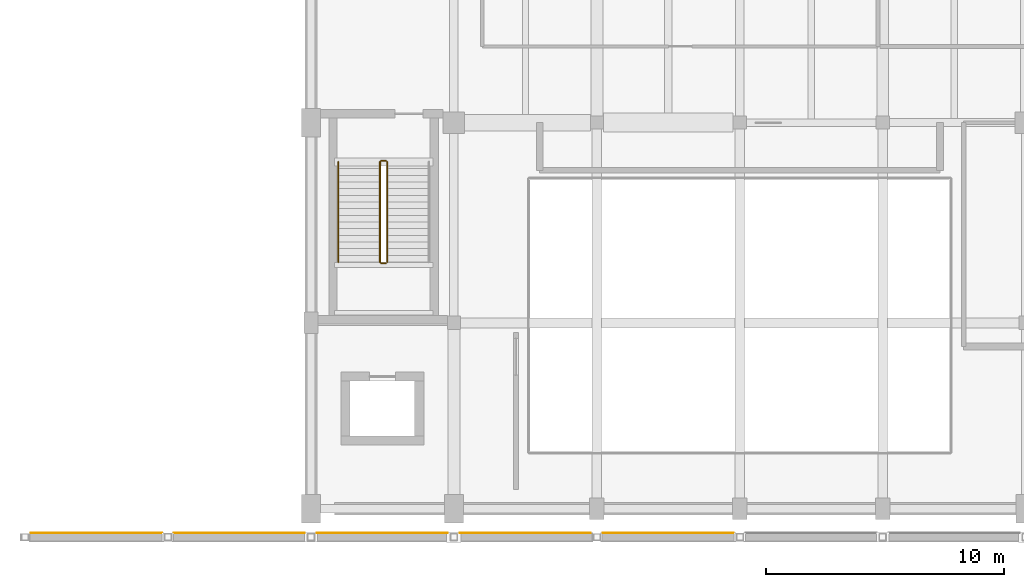
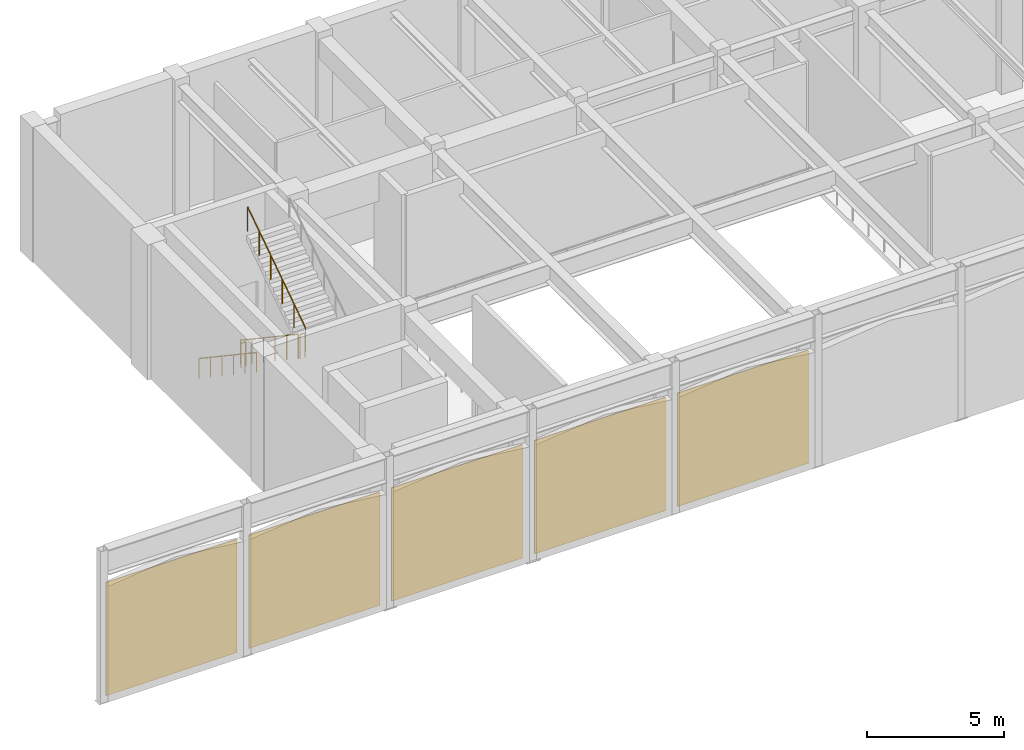
# One storey, part 6 of 8: 5 coverings, 5 railings.
"""IFC4 building model written with IfcOpenShell, lengths in metres."""

import ifcopenshell
import ifcopenshell.guid

model = None  # the IFC model being written
_history = None  # IfcOwnerHistory: only IFC2X3 demands one
_inside = {}  # id of a spatial element -> (the spatial element, [elements in it])
_under = {}  # id of a project, library or spatial element -> (it, [spatial elements below it])
_declared = {}  # id of a project -> (the project, [libraries it declares])
_typed = {}  # id of a type object -> (the type object, [elements of that type])
_made_of = {}  # id of a material, layer set ... -> (it, [elements and type objects made of it])


def new_model(schema):
    """Start an empty IFC model of exactly this schema.

    Asked for "IFC4X3", IfcOpenShell would pick the latest addendum, in which some entities
    have other attributes; the version numbers below select the first issue.
    IFC2X3 requires an IfcOwnerHistory on every rooted entity: one is made here for all.
    """
    global model, _history
    if schema == "IFC4X3":
        model = ifcopenshell.file(schema_version=(4, 3, 0, 0))
    else:
        model = ifcopenshell.file(schema=schema)
    _inside.clear()
    _under.clear()
    _declared.clear()
    _typed.clear()
    _made_of.clear()
    _history = None
    if model.schema == "IFC2X3":
        org = make("IfcOrganization", Name="unknown")
        user = make(
            "IfcPersonAndOrganization",
            ThePerson=make("IfcPerson", FamilyName="unknown"),
            TheOrganization=org,
        )
        app = make(
            "IfcApplication",
            ApplicationDeveloper=org,
            Version="unknown",
            ApplicationFullName="unknown",
            ApplicationIdentifier="unknown",
        )
        _history = make(
            "IfcOwnerHistory",
            OwningUser=user,
            OwningApplication=app,
            ChangeAction="ADDED",
            CreationDate=0,
        )
    return model


def make(cls, **values):
    """One entity of the class cls with the attributes given. An attribute that is None is left unset."""
    return model.create_entity(
        cls, **{name: value for name, value in values.items() if value is not None}
    )


def rooted(cls, **values):
    """An entity with a GlobalId (a new one), such as an element, a storey or a relation."""
    return make(cls, GlobalId=ifcopenshell.guid.new(), OwnerHistory=_history, **values)


def si_unit(unit_type, name, prefix=None):
    """IfcSIUnit, for example si_unit("LENGTHUNIT", "METRE", prefix="MILLI")."""
    return make("IfcSIUnit", UnitType=unit_type, Prefix=prefix, Name=name)


def assignment(units):
    """IfcUnitAssignment: the units of a project."""
    return None if units is None else make("IfcUnitAssignment", Units=units)


def point(xyz):
    """IfcCartesianPoint."""
    return None if xyz is None else make("IfcCartesianPoint", Coordinates=xyz)


def direction(xyz):
    """IfcDirection."""
    return None if xyz is None else make("IfcDirection", DirectionRatios=xyz)


def frame(location, z_axis=None, x_axis=None):
    """IfcAxis2Placement3D, a coordinate frame: its origin and axes. An axis left out is left unset."""
    return make(
        "IfcAxis2Placement3D",
        Location=point(location),
        Axis=direction(z_axis),
        RefDirection=direction(x_axis),
    )


def frame_2d(location, x_axis=None):
    """IfcAxis2Placement2D, a coordinate frame in the plane: its origin and x axis."""
    return make(
        "IfcAxis2Placement2D", Location=point(location), RefDirection=direction(x_axis)
    )


def origin():
    """The frame at (0, 0, 0) with its axes left unset."""
    return frame((0.0, 0.0, 0.0))


def origin_2d():
    """The frame at (0, 0) in the plane with its x axis left unset."""
    return frame_2d((0.0, 0.0))


def place(relative_to, where):
    """IfcLocalPlacement: puts the frame where relative to a parent placement (None: the world)."""
    return make(
        "IfcLocalPlacement", PlacementRelTo=relative_to, RelativePlacement=where
    )


def context(
    kind, dimensions, precision=None, world=None, true_north=None, identifier=None
):
    """IfcGeometricRepresentationContext, for example the 3D "Model" context."""
    return make(
        "IfcGeometricRepresentationContext",
        ContextIdentifier=identifier,
        ContextType=kind,
        CoordinateSpaceDimension=dimensions,
        Precision=precision,
        WorldCoordinateSystem=world,
        TrueNorth=true_north,
    )


def subcontext(parent, identifier, kind, view, scale=None):
    """IfcGeometricRepresentationSubContext, for example "Body" below "Model"."""
    return make(
        "IfcGeometricRepresentationSubContext",
        ContextIdentifier=identifier,
        ContextType=kind,
        ParentContext=parent,
        TargetScale=scale,
        TargetView=view,
    )


def project(units=None, contexts=None):
    """IfcProject with its units and contexts."""
    return rooted(
        "IfcProject",
        Name="project",
        RepresentationContexts=contexts,
        UnitsInContext=assignment(units),
    )


def spatial(cls, under=None, at=None, **own):
    """A site, building, storey or space (cls), placed at a placement, below another one or the project."""
    s = rooted(cls, ObjectPlacement=at, **own)
    if under is not None:
        _under.setdefault(under.id(), (under, []))[1].append(s)
    return s


def profile(cls, at=None, kind="AREA", **sizes):
    """A parametric profile (cls). Its sizes go by their IFC names, for example OverallWidth=200.0."""
    return make(cls, ProfileType=kind, Position=at, **sizes)


def rectangle(**sizes):
    """IfcRectangleProfileDef."""
    return profile("IfcRectangleProfileDef", **sizes)


def circle(**sizes):
    """IfcCircleProfileDef."""
    return profile("IfcCircleProfileDef", **sizes)


def extrude(swept, where, along, depth):
    """IfcExtrudedAreaSolid: the profile swept, set in the frame where, extruded along a direction by depth."""
    return make(
        "IfcExtrudedAreaSolid",
        SweptArea=swept,
        Position=where,
        ExtrudedDirection=direction(along),
        Depth=depth,
    )


def shape(context_of_items, identifier, shape_type, items):
    """IfcShapeRepresentation: the items that make up one representation, for example the "Body"."""
    return make(
        "IfcShapeRepresentation",
        ContextOfItems=context_of_items,
        RepresentationIdentifier=identifier,
        RepresentationType=shape_type,
        Items=items,
    )


def material(Name=None, Category=None):
    """IfcMaterial."""
    return make("IfcMaterial", Name=Name, Category=Category)


def layer(
    of_material, thickness, ventilated=None, Name=None, Category=None, Priority=None
):
    """IfcMaterialLayer: one layer of a wall or slab, of a material (None: an air gap)."""
    return make(
        "IfcMaterialLayer",
        Material=of_material,
        LayerThickness=thickness,
        IsVentilated=ventilated,
        Name=Name,
        Category=Category,
        Priority=Priority,
    )


def layer_set(layers, Name=None):
    """IfcMaterialLayerSet."""
    return make("IfcMaterialLayerSet", MaterialLayers=layers, LayerSetName=Name)


def made_of(thing, what):
    """Note that an element or type object is made of a material, layer set ...; save() writes the relation."""
    if what is not None:
        _made_of.setdefault(what.id(), (what, []))[1].append(thing)
    return thing


def type_object(cls, material=None, **own):
    """A type object (cls), such as IfcWallType, which elements share."""
    return made_of(rooted(cls, **own), material)


def element(
    cls,
    number,
    at=None,
    inside=None,
    cuts=None,
    type_object=None,
    material=None,
    context=None,
    identifier="Body",
    shape_type=None,
    held_by="IfcProductDefinitionShape",
    body=None,
    shapes=None,
    **own,
):
    """One element of the class cls, such as IfcWall. Its Tag is "e" and its number.

    at: its placement. inside: the storey or other place that contains it. cuts: it is an
    opening in that element (IfcRelVoidsElement). A single representation is given by context,
    identifier, shape_type and body (its items); several are given by shapes. held_by: the class
    of the entity that holds the representations. save() writes the other relations.
    """
    e = rooted(cls, Tag="e%d" % number, ObjectPlacement=at, **own)
    if body is not None:
        shapes = [shape(context, identifier, shape_type, body)]
    if shapes is not None:
        e.Representation = make(held_by, Representations=shapes)
    if inside is not None:
        _inside.setdefault(inside.id(), (inside, []))[1].append(e)
    if cuts is not None:
        rooted(
            "IfcRelVoidsElement", RelatingBuildingElement=cuts, RelatedOpeningElement=e
        )
    if type_object is not None:
        _typed.setdefault(type_object.id(), (type_object, []))[1].append(e)
    return made_of(e, material)


def aggregate(whole, parts):
    """IfcRelAggregates: a whole, such as a stair, and the parts it consists of."""
    return rooted("IfcRelAggregates", RelatingObject=whole, RelatedObjects=parts)


def save(model, path):
    """Write the relations noted so far, then the file.

    IfcRelAggregates (storeys below a building ...), IfcRelContainedInSpatialStructure (elements
    in a storey), IfcRelDefinesByType, IfcRelAssociatesMaterial and IfcRelDeclares: one each for
    every whole, place, type object, material and project.
    """
    for whole, parts in _under.values():
        aggregate(whole, parts)
    for where, things in _inside.values():
        rooted(
            "IfcRelContainedInSpatialStructure",
            RelatedElements=things,
            RelatingStructure=where,
        )
    for kind, things in _typed.values():
        rooted("IfcRelDefinesByType", RelatedObjects=things, RelatingType=kind)
    for what, things in _made_of.values():
        rooted("IfcRelAssociatesMaterial", RelatedObjects=things, RelatingMaterial=what)
    for by, libraries in _declared.values():
        rooted("IfcRelDeclares", RelatingContext=by, RelatedDefinitions=libraries)
    model.write(path)


model = new_model("IFC4")

# Units and contexts
model_context = context("Model", 3, precision=1e-05, world=origin(), true_north=direction((0.0, 1.0)))
body_context = subcontext(model_context, "Body", "Model", "MODEL_VIEW")
ifc_project = project(units=[si_unit("LENGTHUNIT", "METRE"), si_unit("AREAUNIT", "SQUARE_METRE"), si_unit("VOLUMEUNIT", "CUBIC_METRE"), si_unit("PLANEANGLEUNIT", "RADIAN"), si_unit("MASSUNIT", "GRAM", prefix="KILO")], contexts=[model_context])

# Site, building, storey
site_placement = place(None, origin())
site = spatial("IfcSite", under=ifc_project, at=site_placement, CompositionType="ELEMENT")
building_placement = place(site_placement, origin())
building = spatial("IfcBuilding", under=site, at=building_placement, Name="Vaelkrest Opera House", CompositionType="ELEMENT")
storey_placement = place(building_placement, frame((0.0, 0.0, 30.0)))
storey = spatial("IfcBuildingStorey", under=building, at=storey_placement, Name="L06", CompositionType="ELEMENT", Elevation=30.0)

# Coverings
ifc_material_1 = material(Name="American black walnut acoustic timber", Category="wood")
ifc_layer = layer(ifc_material_1, 0.0400390625)
ifc_layer_set = layer_set([ifc_layer], Name="American black walnut acoustic timber")
covering_type = type_object("IfcCoveringType", Name="COV-CL01", PredefinedType="CLADDING", material=ifc_layer_set)
for number, where, z_axis, x_axis, name in (
    (1, (-27.0, 16.37744140625, 0.05029296875), (0.0, 0.0, 1.0), (1.0, 0.0, 0.0), "Walnut timber facade cladding V1-01"),
    (2, (-21.0, 16.37744140625, 0.05029296875), (0.0, 0.0, 1.0), (1.0, 0.0, 0.0), "Walnut timber facade cladding V1-02"),
    (3, (-15.0, 16.37744140625, 0.05029296875), (0.0, 0.0, 1.0), (1.0, 0.0, 0.0), "Walnut timber facade cladding V1-03"),
    (4, (-9.0, 16.37744140625, 0.05029296875), (0.0, 0.0, 1.0), (1.0, 0.0, 0.0), "Walnut timber facade cladding V1-04"),
    (5, (-3.0, 16.37744140625, 0.05029296875), (0.0, 0.0, 1.0), (1.0, 0.0, 0.0), "Walnut timber facade cladding V1-05"),
):
    element("IfcCovering", number, at=place(storey_placement, frame(where, z_axis=z_axis, x_axis=x_axis)), inside=storey, type_object=covering_type, Name=name, PredefinedType="CLADDING", context=body_context, shape_type="SweptSolid", body=[
        extrude(rectangle(XDim=5.5, YDim=0.0400390625, at=origin_2d()), origin(), (0.0, 0.0, 1.0), 5.035888671875),
    ])

# Railings
ifc_material_2 = material(Name="Dark bronze anodized aluminium", Category="aluminium")
railing_type_1 = type_object("IfcRailingType", Name="GR02", PredefinedType="GUARDRAIL", material=ifc_material_2)
railing_1_placement = place(storey_placement, frame((-15.10009765625, 31.949951171875, 0.1875)))
element("IfcRailing", 6, at=railing_1_placement, inside=storey, type_object=railing_type_1, Name="L06 ST05 stair guard 1", PredefinedType="GUARDRAIL", context=body_context, shape_type="SweptSolid", body=[
    extrude(circle(Radius=0.02392578125, at=origin_2d()), frame((0.0, 0.0, 1.076171875), z_axis=(0.0, -0.830904186295, 0.556415522067), x_axis=(1.0, 0.0, 0.0)), (0.0, 0.0, 1.0), 5.0546875),
    extrude(circle(Radius=0.02099609375, at=origin_2d()), origin(), (0.0, 0.0, 1.0), 1.052001953125),
    extrude(circle(Radius=0.02099609375, at=origin_2d()), frame((0.0, -0.840087890625, 0.5625)), (0.0, 0.0, 1.0), 1.052001953125),
    extrude(circle(Radius=0.02099609375, at=origin_2d()), frame((0.0, -1.679931640625, 1.125)), (0.0, 0.0, 1.0), 1.052001953125),
    extrude(circle(Radius=0.02099609375, at=origin_2d()), frame((0.0, -2.52001953125, 1.6875)), (0.0, 0.0, 1.0), 1.052001953125),
    extrude(circle(Radius=0.02099609375, at=origin_2d()), frame((0.0, -3.35986328125, 2.25)), (0.0, 0.0, 1.0), 1.052001953125),
    extrude(circle(Radius=0.02099609375, at=origin_2d()), frame((0.0, -4.199951171875, 2.8125)), (0.0, 0.0, 1.0), 1.052001953125),
])
railing_2_placement = place(storey_placement, frame((-15.050048828125, 27.699951171875, 3.0)))
element("IfcRailing", 7, at=railing_2_placement, inside=storey, type_object=railing_type_1, Name="L06 ST05 stair guard 2", PredefinedType="GUARDRAIL", context=body_context, shape_type="SweptSolid", body=[
    extrude(circle(Radius=0.02392578125, at=origin_2d()), frame((0.0, 0.0, 1.076171875), z_axis=(1.0, 0.0, 0.0), x_axis=(0.0, 1.0, 0.0)), (0.0, 0.0, 1.0), 0.199951171875),
    extrude(circle(Radius=0.02099609375, at=origin_2d()), origin(), (0.0, 0.0, 1.0), 1.052001953125),
    extrude(circle(Radius=0.02099609375, at=origin_2d()), frame((0.199951171875, 0.0, 0.0)), (0.0, 0.0, 1.0), 1.052001953125),
])
railing_3_placement = place(storey_placement, frame((-14.800048828125, 27.75, 3.1875)))
element("IfcRailing", 8, at=railing_3_placement, inside=storey, type_object=railing_type_1, Name="L06 ST05 stair guard 3", PredefinedType="GUARDRAIL", context=body_context, shape_type="SweptSolid", body=[
    extrude(circle(Radius=0.02392578125, at=origin_2d()), frame((0.0, 0.0, 1.076171875), z_axis=(0.0, 0.830904186295, 0.556415522067), x_axis=(-1.0, 0.0, 0.0)), (0.0, 0.0, 1.0), 5.0546875),
    extrude(circle(Radius=0.02099609375, at=origin_2d()), origin(), (0.0, 0.0, 1.0), 1.052001953125),
    extrude(circle(Radius=0.02099609375, at=origin_2d()), frame((0.0, 0.840087890625, 0.5625)), (0.0, 0.0, 1.0), 1.052001953125),
    extrude(circle(Radius=0.02099609375, at=origin_2d()), frame((0.0, 1.679931640625, 1.125)), (0.0, 0.0, 1.0), 1.052001953125),
    extrude(circle(Radius=0.02099609375, at=origin_2d()), frame((0.0, 2.52001953125, 1.6875)), (0.0, 0.0, 1.0), 1.052001953125),
    extrude(circle(Radius=0.02099609375, at=origin_2d()), frame((0.0, 3.35986328125, 2.25)), (0.0, 0.0, 1.0), 1.052001953125),
    extrude(circle(Radius=0.02099609375, at=origin_2d()), frame((0.0, 4.199951171875, 2.8125)), (0.0, 0.0, 1.0), 1.052001953125),
])
railing_4_placement = place(storey_placement, frame((-15.050048828125, 32.0, 0.0)))
element("IfcRailing", 9, at=railing_4_placement, inside=storey, type_object=railing_type_1, Name="L06 ST05 stair guard 4", PredefinedType="GUARDRAIL", context=body_context, shape_type="SweptSolid", body=[
    extrude(circle(Radius=0.02392578125, at=origin_2d()), frame((0.0, 0.0, 1.076171875), z_axis=(1.0, 0.0, 0.0), x_axis=(0.0, 1.0, 0.0)), (0.0, 0.0, 1.0), 0.199951171875),
    extrude(circle(Radius=0.02099609375, at=origin_2d()), origin(), (0.0, 0.0, 1.0), 1.052001953125),
    extrude(circle(Radius=0.02099609375, at=origin_2d()), frame((0.199951171875, 0.0, 0.0)), (0.0, 0.0, 1.0), 1.052001953125),
])
railing_type_2 = type_object("IfcRailingType", Name="HR02", PredefinedType="HANDRAIL", material=ifc_material_2)
railing_5_placement = place(storey_placement, frame((-16.85009765625, 31.949951171875, 0.1875)))
element("IfcRailing", 10, at=railing_5_placement, inside=storey, type_object=railing_type_2, Name="L06 ST05 stair handrail 1", PredefinedType="HANDRAIL", context=body_context, shape_type="SweptSolid", body=[
    extrude(circle(Radius=0.02392578125, at=origin_2d()), frame((0.0, 0.0, 0.8759765625), z_axis=(0.0, -0.830904186295, 0.556415522067), x_axis=(1.0, 0.0, 0.0)), (0.0, 0.0, 1.0), 5.0546875),
    extrude(circle(Radius=0.02099609375, at=origin_2d()), origin(), (0.0, 0.0, 1.0), 0.851806640625),
    extrude(circle(Radius=0.02099609375, at=origin_2d()), frame((0.0, -0.840087890625, 0.5625)), (0.0, 0.0, 1.0), 0.851806640625),
    extrude(circle(Radius=0.02099609375, at=origin_2d()), frame((0.0, -1.679931640625, 1.125)), (0.0, 0.0, 1.0), 0.851806640625),
    extrude(circle(Radius=0.02099609375, at=origin_2d()), frame((0.0, -2.52001953125, 1.6875)), (0.0, 0.0, 1.0), 0.851806640625),
    extrude(circle(Radius=0.02099609375, at=origin_2d()), frame((0.0, -3.35986328125, 2.25)), (0.0, 0.0, 1.0), 0.851806640625),
    extrude(circle(Radius=0.02099609375, at=origin_2d()), frame((0.0, -4.199951171875, 2.8125)), (0.0, 0.0, 1.0), 0.851806640625),
])

save(model, "model.ifc")
